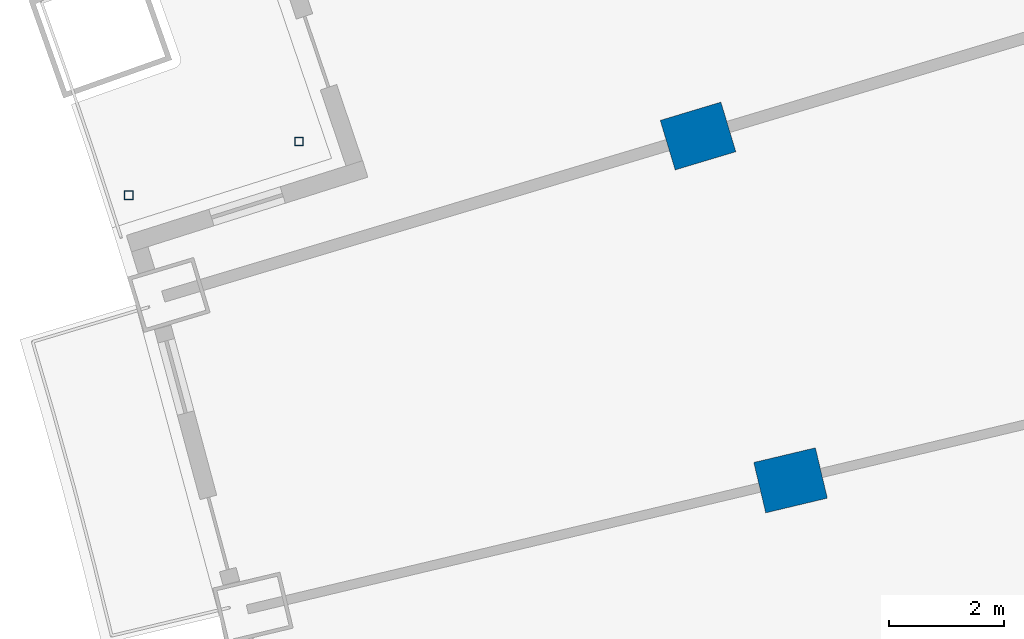
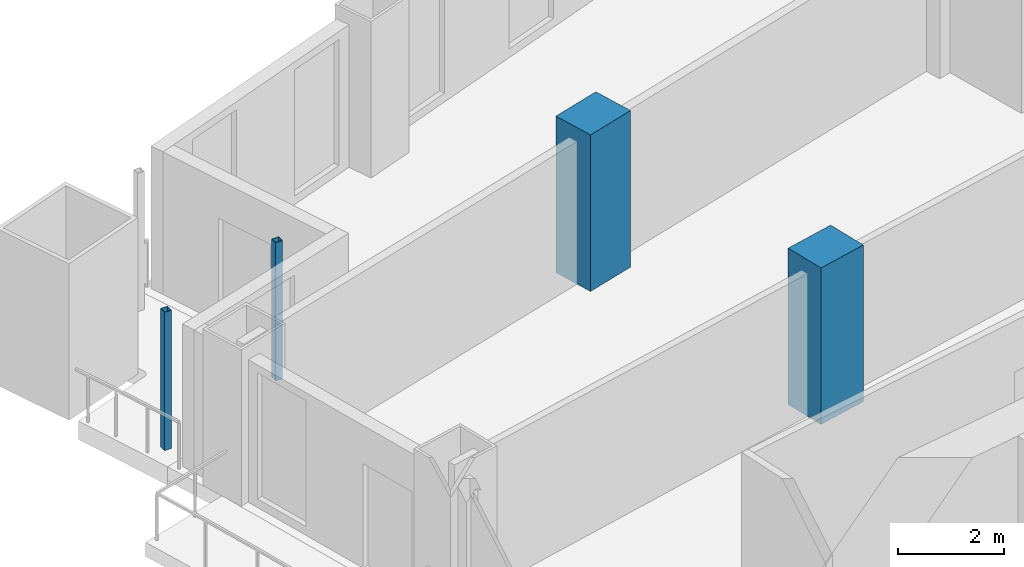
# One storey, part 7 of 25: 4 columns.
"""IFC4 building model written with IfcOpenShell, lengths in metres."""

from ifc_helpers import new_model, si_unit, direction, frame, origin, origin_2d, place, context, subcontext, project, spatial, rectangle, hollow_rectangle, extrude, material, material_profile, profile_set, type_object, element, save


model = new_model("IFC4")

# Units and contexts
model_context = context("Model", 3, precision=1e-05, world=origin(), true_north=direction((0.0, 1.0)))
body_context = subcontext(model_context, "Body", "Model", "MODEL_VIEW")
ifc_project = project(units=[si_unit("LENGTHUNIT", "METRE"), si_unit("AREAUNIT", "SQUARE_METRE"), si_unit("VOLUMEUNIT", "CUBIC_METRE"), si_unit("PLANEANGLEUNIT", "RADIAN"), si_unit("MASSUNIT", "GRAM", prefix="KILO")], contexts=[model_context])

# Site, building, storey
site_placement = place(None, origin())
site = spatial("IfcSite", under=ifc_project, at=site_placement, CompositionType="ELEMENT")
building_placement = place(site_placement, origin())
building = spatial("IfcBuilding", under=site, at=building_placement, Name="Alderwake Tower", CompositionType="ELEMENT")
storey_placement = place(building_placement, frame((0.0, 0.0, 57.199951171875)))
storey = spatial("IfcBuildingStorey", under=building, at=storey_placement, Name="L13", CompositionType="ELEMENT", Elevation=57.199951171875)

# Columns
ifc_material_1 = material(Name="Concrete C70/85", Category="concrete")
ifc_material_profile_1 = material_profile(ifc_material_1, rectangle(XDim=0.89990234375, YDim=1.10009765625, at=origin_2d()), Name="RC 1100X900")
ifc_profile_set_1 = profile_set([ifc_material_profile_1], Name="Concrete C70/85")
column_type_1 = type_object("IfcColumnType", Name="Interior column Z1", PredefinedType="COLUMN", material=ifc_profile_set_1)
for number, where, z_axis, x_axis, name in (
    (1, (23.322021484375, 85.555908203125, 0.0), (0.0, 0.0, 1.0), (-0.231221547198, 0.972901123502, 0.0), "Column R11-C1"),
    (2, (21.714599609375, 91.53759765625, 0.0), (0.0, 0.0, 1.0), (-0.287549418125, 0.957765802342, 0.0), "Column R12-C1"),
):
    element("IfcColumn", number, at=place(storey_placement, frame(where, z_axis=z_axis, x_axis=x_axis)), inside=storey, type_object=column_type_1, Name=name, PredefinedType="COLUMN", context=body_context, shape_type="SweptSolid", body=[
        extrude(rectangle(XDim=0.89990234375, YDim=1.10009765625, at=origin_2d()), origin(), (0.0, 0.0, 1.0), 3.60009765625),
    ])
ifc_material_2 = material(Name="Steel ASTM A500 Grade C", Category="steel")
ifc_material_profile_2 = material_profile(ifc_material_2, hollow_rectangle(XDim=0.15234375, YDim=0.15234375, WallThickness=0.0087890625, at=origin_2d()), Name="HSS6X6X3/8")
ifc_profile_set_2 = profile_set([ifc_material_profile_2], Name="Steel ASTM A500 Grade C")
column_type_2 = type_object("IfcColumnType", Name="Light post HSS6X6X3/8", PredefinedType="COLUMN", material=ifc_profile_set_2)
for number, where, z_axis, x_axis, name in (
    (3, (11.82568359375, 90.507080078125, 0.0), (0.0, 0.0, 1.0), (1.0, 0.0, 0.0), "Terrace post RN1"),
    (4, (14.781494140625, 91.441650390625, 0.0), (0.0, 0.0, 1.0), (1.0, 0.0, 0.0), "Terrace post RN3"),
):
    element("IfcColumn", number, at=place(storey_placement, frame(where, z_axis=z_axis, x_axis=x_axis)), inside=storey, type_object=column_type_2, Name=name, PredefinedType="COLUMN", context=body_context, shape_type="SweptSolid", body=[
        extrude(hollow_rectangle(XDim=0.15234375, YDim=0.15234375, WallThickness=0.0087890625, at=origin_2d()), origin(), (0.0, 0.0, 1.0), 3.179931640625),
    ])

save(model, "model.ifc")
